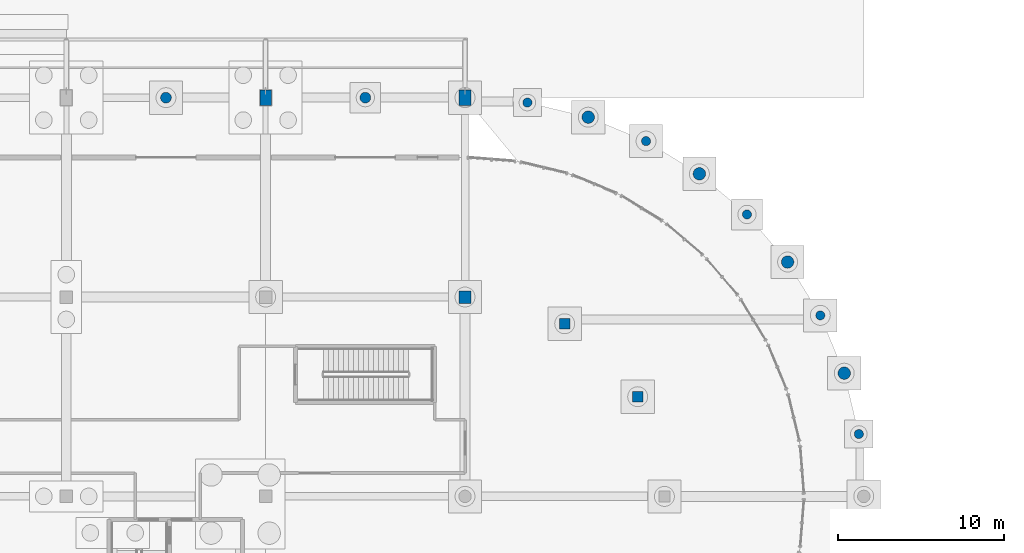
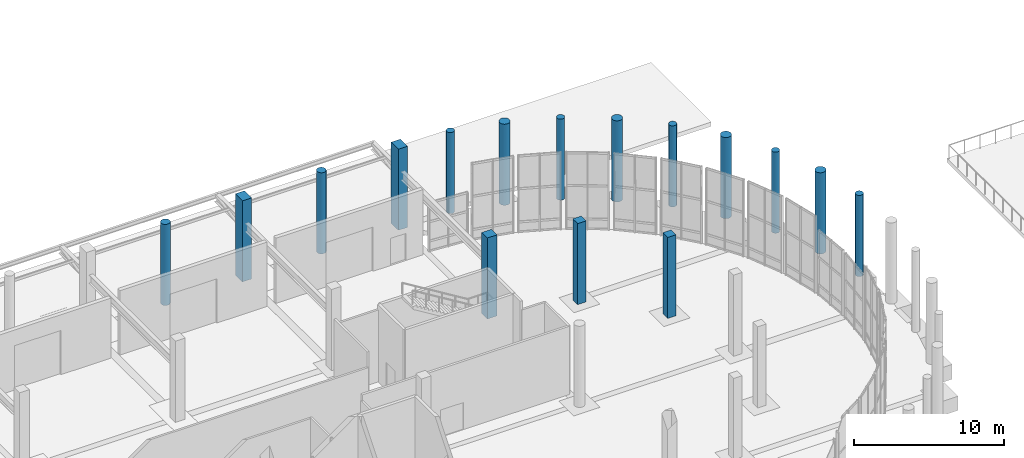
# One storey, part 43 of 117: 16 columns.
"""IFC4 building model written with IfcOpenShell, lengths in metres."""

from ifc_helpers import new_model, si_unit, direction, frame, origin, origin_2d, place, context, subcontext, project, spatial, rectangle, circle, extrude, material, material_profile, profile_set, type_object, element, save


model = new_model("IFC4")

# Units and contexts
model_context = context("Model", 3, precision=1e-05, world=origin(), true_north=direction((0.0, 1.0)))
body_context = subcontext(model_context, "Body", "Model", "MODEL_VIEW")
ifc_project = project(units=[si_unit("LENGTHUNIT", "METRE"), si_unit("AREAUNIT", "SQUARE_METRE"), si_unit("VOLUMEUNIT", "CUBIC_METRE"), si_unit("PLANEANGLEUNIT", "RADIAN"), si_unit("MASSUNIT", "GRAM", prefix="KILO")], contexts=[model_context])

# Site, building, storey
site_placement = place(None, origin())
site = spatial("IfcSite", under=ifc_project, at=site_placement, CompositionType="ELEMENT")
building_placement = place(site_placement, origin())
building = spatial("IfcBuilding", under=site, at=building_placement, Name="Kamomehara Wholesale Market", CompositionType="ELEMENT")
storey_placement = place(building_placement, origin())
storey = spatial("IfcBuildingStorey", under=building, at=storey_placement, Name="L00", CompositionType="ELEMENT", Elevation=0.0)

# Columns
ifc_material_1 = material(Name="Precast concrete Fc45 (C40/50)", Category="concrete")
ifc_material_profile_1 = material_profile(ifc_material_1, circle(Radius=0.27490234375, at=origin_2d()), Name="PC-ARC-D550")
ifc_profile_set_1 = profile_set([ifc_material_profile_1], Name="Precast concrete Fc45 (C40/50)")
column_type_1 = type_object("IfcColumnType", Name="COL-ARC550-EXT", PredefinedType="COLUMN", material=ifc_profile_set_1)
for number, where, z_axis, x_axis, name in (
    (1, (183.75390625, 155.705078125, 0.0), (0.0, 0.0, 1.0), (1.0, 0.0, 0.0), "Column CA-03E L00"),
    (2, (190.89599609375, 153.384033203125, 0.0), (0.0, 0.0, 1.0), (1.0, 0.0, 0.0), "Column CA-03E L00"),
    (3, (196.970947265625, 148.970947265625, 0.0), (0.0, 0.0, 1.0), (1.0, 0.0, 0.0), "Column CA-03E L00"),
    (4, (201.384033203125, 142.89599609375, 0.0), (0.0, 0.0, 1.0), (1.0, 0.0, 0.0), "Column CA-03E L00"),
    (5, (203.705078125, 135.75390625, 0.0), (0.0, 0.0, 1.0), (1.0, 0.0, 0.0), "Column CA-03E L00"),
):
    element("IfcColumn", number, at=place(storey_placement, frame(where, z_axis=z_axis, x_axis=x_axis)), inside=storey, type_object=column_type_1, Name=name, PredefinedType="COLUMN", context=body_context, shape_type="SweptSolid", body=[
        extrude(circle(Radius=0.27490234375, at=origin_2d()), origin(), (0.0, 0.0, 1.0), 6.60009765625),
    ])
ifc_material_2 = material(Name="Precast concrete Fc45 (C40/50)", Category="concrete")
ifc_material_profile_2 = material_profile(ifc_material_2, circle(Radius=0.324951171875, at=origin_2d()), Name="PC-ARC-D650")
ifc_profile_set_2 = profile_set([ifc_material_profile_2], Name="Precast concrete Fc45 (C40/50)")
column_type_2 = type_object("IfcColumnType", Name="COL-ARC650-EXT", PredefinedType="COLUMN", material=ifc_profile_set_2)
for number, where, z_axis, x_axis, name in (
    (6, (162.0, 156.0, 0.0), (0.0, 0.0, 1.0), (1.0, 0.0, 0.0), "Column CA-01E L00"),
    (7, (174.0, 156.0, 0.0), (0.0, 0.0, 1.0), (1.0, 0.0, 0.0), "Column CA-01E L00"),
):
    element("IfcColumn", number, at=place(storey_placement, frame(where, z_axis=z_axis, x_axis=x_axis)), inside=storey, type_object=column_type_2, Name=name, PredefinedType="COLUMN", context=body_context, shape_type="SweptSolid", body=[
        extrude(circle(Radius=0.324951171875, at=origin_2d()), origin(), (0.0, 0.0, 1.0), 6.60009765625),
    ])
ifc_material_3 = material(Name="Precast concrete Fc45 (C40/50)", Category="concrete")
ifc_material_profile_3 = material_profile(ifc_material_3, circle(Radius=0.375, at=origin_2d()), Name="PC-ARC-D750")
ifc_profile_set_3 = profile_set([ifc_material_profile_3], Name="Precast concrete Fc45 (C40/50)")
column_type_3 = type_object("IfcColumnType", Name="COL-ARC750", PredefinedType="COLUMN", material=ifc_profile_set_3)
for number, where, z_axis, x_axis, name in (
    (8, (187.416015625, 154.824951171875, 0.0), (0.0, 0.0, 1.0), (1.0, 0.0, 0.0), "Column CA-02 L00"),
    (9, (194.10693359375, 151.416015625, 0.0), (0.0, 0.0, 1.0), (1.0, 0.0, 0.0), "Column CA-02 L00"),
    (10, (199.416015625, 146.10693359375, 0.0), (0.0, 0.0, 1.0), (1.0, 0.0, 0.0), "Column CA-02 L00"),
    (11, (202.824951171875, 139.416015625, 0.0), (0.0, 0.0, 1.0), (1.0, 0.0, 0.0), "Column CA-02 L00"),
):
    element("IfcColumn", number, at=place(storey_placement, frame(where, z_axis=z_axis, x_axis=x_axis)), inside=storey, type_object=column_type_3, Name=name, PredefinedType="COLUMN", context=body_context, shape_type="SweptSolid", body=[
        extrude(circle(Radius=0.375, at=origin_2d()), origin(), (0.0, 0.0, 1.0), 6.60009765625),
    ])
ifc_material_4 = material(Name="Precast concrete Fc45 (C40/50)", Category="concrete")
ifc_material_profile_4 = material_profile(ifc_material_4, rectangle(XDim=0.64990234375, YDim=0.64990234375, at=origin_2d()), Name="PC-COL-650x650")
ifc_profile_set_4 = profile_set([ifc_material_profile_4], Name="Precast concrete Fc45 (C40/50)")
column_type_4 = type_object("IfcColumnType", Name="COL-PC650", PredefinedType="COLUMN", material=ifc_profile_set_4)
for number, where, z_axis, x_axis, name in (
    (12, (186.0, 142.39208984375, 0.0), (0.0, 0.0, 1.0), (1.0, 0.0, 0.0), "Column C-06 L00"),
    (13, (190.39208984375, 138.0, 0.0), (0.0, 0.0, 1.0), (1.0, 0.0, 0.0), "Column C-06 L00"),
):
    element("IfcColumn", number, at=place(storey_placement, frame(where, z_axis=z_axis, x_axis=x_axis)), inside=storey, type_object=column_type_4, Name=name, PredefinedType="COLUMN", context=body_context, shape_type="SweptSolid", body=[
        extrude(rectangle(XDim=0.64990234375, YDim=0.64990234375, at=origin_2d()), origin(), (0.0, 0.0, 1.0), 6.60009765625),
    ])
ifc_material_5 = material(Name="Precast concrete Fc45 (C40/50)", Category="concrete")
ifc_material_profile_5 = material_profile(ifc_material_5, rectangle(XDim=0.75, YDim=0.75, at=origin_2d()), Name="PC-COL-750x750")
ifc_profile_set_5 = profile_set([ifc_material_profile_5], Name="Precast concrete Fc45 (C40/50)")
column_type_5 = type_object("IfcColumnType", Name="COL-PC750", PredefinedType="COLUMN", material=ifc_profile_set_5)
column_placement = place(storey_placement, frame((180.0, 144.0, 0.0), z_axis=(0.0, 0.0, 1.0), x_axis=(1.0, 0.0, 0.0)))
element("IfcColumn", 14, at=column_placement, inside=storey, type_object=column_type_5, Name="Column C-04 L00", PredefinedType="COLUMN", context=body_context, shape_type="SweptSolid", body=[
    extrude(rectangle(XDim=0.75, YDim=0.75, at=origin_2d()), origin(), (0.0, 0.0, 1.0), 6.60009765625),
])
ifc_material_6 = material(Name="Precast concrete Fc45 (C40/50)", Category="concrete")
ifc_material_profile_6 = material_profile(ifc_material_6, rectangle(XDim=0.699951171875, YDim=0.949951171875, at=origin_2d()), Name="PC-COL-700x950")
ifc_profile_set_6 = profile_set([ifc_material_profile_6], Name="Precast concrete Fc45 (C40/50)")
column_type_6 = type_object("IfcColumnType", Name="COL-PCR950-EXT", PredefinedType="COLUMN", material=ifc_profile_set_6)
for number, where, z_axis, x_axis, name in (
    (15, (168.0, 156.0, 0.0), (0.0, 0.0, 1.0), (1.0, 0.0, 0.0), "Column C-11E L00"),
    (16, (180.0, 156.0, 0.0), (0.0, 0.0, 1.0), (1.0, 0.0, 0.0), "Column C-11E L00"),
):
    element("IfcColumn", number, at=place(storey_placement, frame(where, z_axis=z_axis, x_axis=x_axis)), inside=storey, type_object=column_type_6, Name=name, PredefinedType="COLUMN", context=body_context, shape_type="SweptSolid", body=[
        extrude(rectangle(XDim=0.699951171875, YDim=0.949951171875, at=origin_2d()), origin(), (0.0, 0.0, 1.0), 6.60009765625),
    ])

save(model, "model.ifc")
